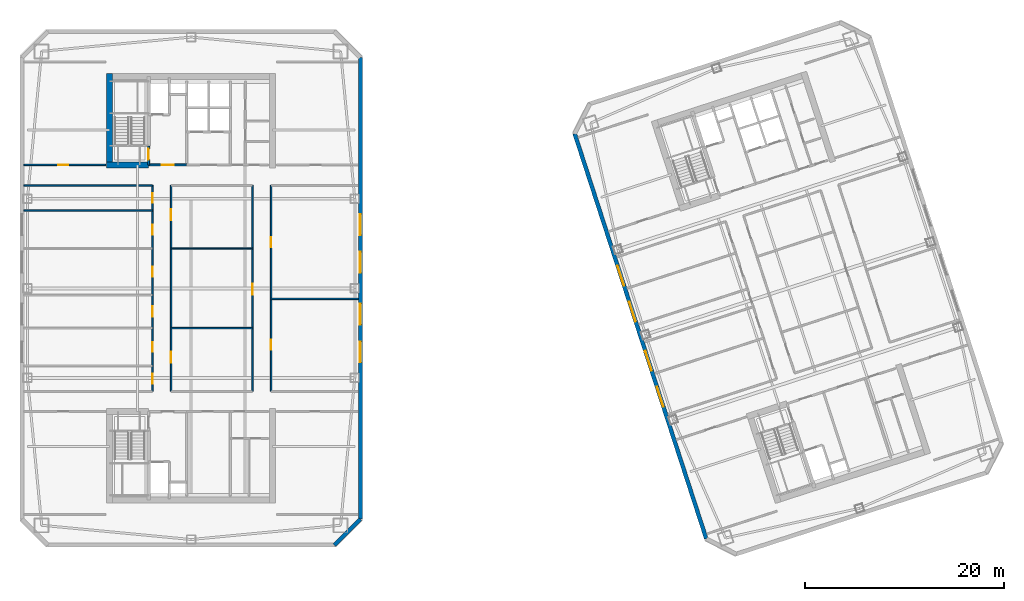
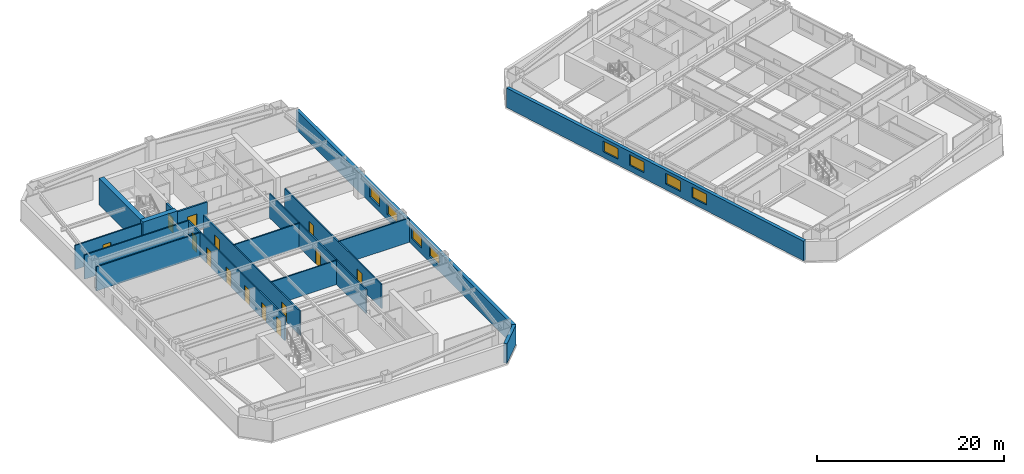
# One storey, part 6 of 13: 17 walls, 14 doors, 8 windows, 22 openings.
"""IFC4 building model written with IfcOpenShell, lengths in metres."""

import ifcopenshell
import ifcopenshell.guid

model = None  # the IFC model being written
_history = None  # IfcOwnerHistory: only IFC2X3 demands one
_inside = {}  # id of a spatial element -> (the spatial element, [elements in it])
_under = {}  # id of a project, library or spatial element -> (it, [spatial elements below it])
_declared = {}  # id of a project -> (the project, [libraries it declares])
_typed = {}  # id of a type object -> (the type object, [elements of that type])
_made_of = {}  # id of a material, layer set ... -> (it, [elements and type objects made of it])


def new_model(schema):
    """Start an empty IFC model of exactly this schema.

    Asked for "IFC4X3", IfcOpenShell would pick the latest addendum, in which some entities
    have other attributes; the version numbers below select the first issue.
    IFC2X3 requires an IfcOwnerHistory on every rooted entity: one is made here for all.
    """
    global model, _history
    if schema == "IFC4X3":
        model = ifcopenshell.file(schema_version=(4, 3, 0, 0))
    else:
        model = ifcopenshell.file(schema=schema)
    _inside.clear()
    _under.clear()
    _declared.clear()
    _typed.clear()
    _made_of.clear()
    _history = None
    if model.schema == "IFC2X3":
        org = make("IfcOrganization", Name="unknown")
        user = make(
            "IfcPersonAndOrganization",
            ThePerson=make("IfcPerson", FamilyName="unknown"),
            TheOrganization=org,
        )
        app = make(
            "IfcApplication",
            ApplicationDeveloper=org,
            Version="unknown",
            ApplicationFullName="unknown",
            ApplicationIdentifier="unknown",
        )
        _history = make(
            "IfcOwnerHistory",
            OwningUser=user,
            OwningApplication=app,
            ChangeAction="ADDED",
            CreationDate=0,
        )
    return model


def make(cls, **values):
    """One entity of the class cls with the attributes given. An attribute that is None is left unset."""
    return model.create_entity(
        cls, **{name: value for name, value in values.items() if value is not None}
    )


def rooted(cls, **values):
    """An entity with a GlobalId (a new one), such as an element, a storey or a relation."""
    return make(cls, GlobalId=ifcopenshell.guid.new(), OwnerHistory=_history, **values)


def si_unit(unit_type, name, prefix=None):
    """IfcSIUnit, for example si_unit("LENGTHUNIT", "METRE", prefix="MILLI")."""
    return make("IfcSIUnit", UnitType=unit_type, Prefix=prefix, Name=name)


def assignment(units):
    """IfcUnitAssignment: the units of a project."""
    return None if units is None else make("IfcUnitAssignment", Units=units)


def point(xyz):
    """IfcCartesianPoint."""
    return None if xyz is None else make("IfcCartesianPoint", Coordinates=xyz)


def direction(xyz):
    """IfcDirection."""
    return None if xyz is None else make("IfcDirection", DirectionRatios=xyz)


def frame(location, z_axis=None, x_axis=None):
    """IfcAxis2Placement3D, a coordinate frame: its origin and axes. An axis left out is left unset."""
    return make(
        "IfcAxis2Placement3D",
        Location=point(location),
        Axis=direction(z_axis),
        RefDirection=direction(x_axis),
    )


def frame_2d(location, x_axis=None):
    """IfcAxis2Placement2D, a coordinate frame in the plane: its origin and x axis."""
    return make(
        "IfcAxis2Placement2D", Location=point(location), RefDirection=direction(x_axis)
    )


def origin():
    """The frame at (0, 0, 0) with its axes left unset."""
    return frame((0.0, 0.0, 0.0))


def place(relative_to, where):
    """IfcLocalPlacement: puts the frame where relative to a parent placement (None: the world)."""
    return make(
        "IfcLocalPlacement", PlacementRelTo=relative_to, RelativePlacement=where
    )


def context(
    kind, dimensions, precision=None, world=None, true_north=None, identifier=None
):
    """IfcGeometricRepresentationContext, for example the 3D "Model" context."""
    return make(
        "IfcGeometricRepresentationContext",
        ContextIdentifier=identifier,
        ContextType=kind,
        CoordinateSpaceDimension=dimensions,
        Precision=precision,
        WorldCoordinateSystem=world,
        TrueNorth=true_north,
    )


def subcontext(parent, identifier, kind, view, scale=None):
    """IfcGeometricRepresentationSubContext, for example "Body" below "Model"."""
    return make(
        "IfcGeometricRepresentationSubContext",
        ContextIdentifier=identifier,
        ContextType=kind,
        ParentContext=parent,
        TargetScale=scale,
        TargetView=view,
    )


def project(units=None, contexts=None):
    """IfcProject with its units and contexts."""
    return rooted(
        "IfcProject",
        Name="project",
        RepresentationContexts=contexts,
        UnitsInContext=assignment(units),
    )


def spatial(cls, under=None, at=None, **own):
    """A site, building, storey or space (cls), placed at a placement, below another one or the project."""
    s = rooted(cls, ObjectPlacement=at, **own)
    if under is not None:
        _under.setdefault(under.id(), (under, []))[1].append(s)
    return s


def profile(cls, at=None, kind="AREA", **sizes):
    """A parametric profile (cls). Its sizes go by their IFC names, for example OverallWidth=200.0."""
    return make(cls, ProfileType=kind, Position=at, **sizes)


def rectangle(**sizes):
    """IfcRectangleProfileDef."""
    return profile("IfcRectangleProfileDef", **sizes)


def extrude(swept, where, along, depth):
    """IfcExtrudedAreaSolid: the profile swept, set in the frame where, extruded along a direction by depth."""
    return make(
        "IfcExtrudedAreaSolid",
        SweptArea=swept,
        Position=where,
        ExtrudedDirection=direction(along),
        Depth=depth,
    )


def shape(context_of_items, identifier, shape_type, items):
    """IfcShapeRepresentation: the items that make up one representation, for example the "Body"."""
    return make(
        "IfcShapeRepresentation",
        ContextOfItems=context_of_items,
        RepresentationIdentifier=identifier,
        RepresentationType=shape_type,
        Items=items,
    )


def material(Name=None, Category=None):
    """IfcMaterial."""
    return make("IfcMaterial", Name=Name, Category=Category)


def layer(
    of_material, thickness, ventilated=None, Name=None, Category=None, Priority=None
):
    """IfcMaterialLayer: one layer of a wall or slab, of a material (None: an air gap)."""
    return make(
        "IfcMaterialLayer",
        Material=of_material,
        LayerThickness=thickness,
        IsVentilated=ventilated,
        Name=Name,
        Category=Category,
        Priority=Priority,
    )


def layer_set(layers, Name=None):
    """IfcMaterialLayerSet."""
    return make("IfcMaterialLayerSet", MaterialLayers=layers, LayerSetName=Name)


def made_of(thing, what):
    """Note that an element or type object is made of a material, layer set ...; save() writes the relation."""
    if what is not None:
        _made_of.setdefault(what.id(), (what, []))[1].append(thing)
    return thing


def type_object(cls, material=None, **own):
    """A type object (cls), such as IfcWallType, which elements share."""
    return made_of(rooted(cls, **own), material)


def element(
    cls,
    number,
    at=None,
    inside=None,
    cuts=None,
    type_object=None,
    material=None,
    context=None,
    identifier="Body",
    shape_type=None,
    held_by="IfcProductDefinitionShape",
    body=None,
    shapes=None,
    **own,
):
    """One element of the class cls, such as IfcWall. Its Tag is "e" and its number.

    at: its placement. inside: the storey or other place that contains it. cuts: it is an
    opening in that element (IfcRelVoidsElement). A single representation is given by context,
    identifier, shape_type and body (its items); several are given by shapes. held_by: the class
    of the entity that holds the representations. save() writes the other relations.
    """
    e = rooted(cls, Tag="e%d" % number, ObjectPlacement=at, **own)
    if body is not None:
        shapes = [shape(context, identifier, shape_type, body)]
    if shapes is not None:
        e.Representation = make(held_by, Representations=shapes)
    if inside is not None:
        _inside.setdefault(inside.id(), (inside, []))[1].append(e)
    if cuts is not None:
        rooted(
            "IfcRelVoidsElement", RelatingBuildingElement=cuts, RelatedOpeningElement=e
        )
    if type_object is not None:
        _typed.setdefault(type_object.id(), (type_object, []))[1].append(e)
    return made_of(e, material)


def fill(opening, filler):
    """IfcRelFillsElement: the door or window that sits in an opening."""
    return rooted(
        "IfcRelFillsElement",
        RelatingOpeningElement=opening,
        RelatedBuildingElement=filler,
    )


def aggregate(whole, parts):
    """IfcRelAggregates: a whole, such as a stair, and the parts it consists of."""
    return rooted("IfcRelAggregates", RelatingObject=whole, RelatedObjects=parts)


def save(model, path):
    """Write the relations noted so far, then the file.

    IfcRelAggregates (storeys below a building ...), IfcRelContainedInSpatialStructure (elements
    in a storey), IfcRelDefinesByType, IfcRelAssociatesMaterial and IfcRelDeclares: one each for
    every whole, place, type object, material and project.
    """
    for whole, parts in _under.values():
        aggregate(whole, parts)
    for where, things in _inside.values():
        rooted(
            "IfcRelContainedInSpatialStructure",
            RelatedElements=things,
            RelatingStructure=where,
        )
    for kind, things in _typed.values():
        rooted("IfcRelDefinesByType", RelatedObjects=things, RelatingType=kind)
    for what, things in _made_of.values():
        rooted("IfcRelAssociatesMaterial", RelatedObjects=things, RelatingMaterial=what)
    for by, libraries in _declared.values():
        rooted("IfcRelDeclares", RelatingContext=by, RelatedDefinitions=libraries)
    model.write(path)


model = new_model("IFC4")

# Units and contexts
model_context = context("Model", 3, precision=1e-05, world=origin(), true_north=direction((0.0, 1.0)))
body_context = subcontext(model_context, "Body", "Model", "MODEL_VIEW")
ifc_project = project(units=[si_unit("LENGTHUNIT", "METRE"), si_unit("AREAUNIT", "SQUARE_METRE"), si_unit("VOLUMEUNIT", "CUBIC_METRE"), si_unit("PLANEANGLEUNIT", "RADIAN"), si_unit("MASSUNIT", "GRAM", prefix="KILO")], contexts=[model_context])

# Site, building, storey
site_placement = place(None, origin())
site = spatial("IfcSite", under=ifc_project, at=site_placement, CompositionType="ELEMENT")
building_placement = place(site_placement, origin())
building = spatial("IfcBuilding", under=site, at=building_placement, Name="Qiaolan Cultural Towers", CompositionType="ELEMENT")
storey_placement = place(building_placement, frame((0.0, 0.0, 180.550048828125)))
storey = spatial("IfcBuildingStorey", under=building, at=storey_placement, Name="L48", CompositionType="ELEMENT", Elevation=180.550048828125)

# Walls
ifc_material_1 = material(Name="Concrete C55", Category="concrete")
ifc_layer_1 = layer(ifc_material_1, 0.60009765625)
ifc_layer_set_1 = layer_set([ifc_layer_1], Name="Concrete C55")
wall_type_1 = type_object("IfcWallType", Name="WL-CORE-600", PredefinedType="SHEAR", material=ifc_layer_set_1)
wall_1_placement = place(storey_placement, frame((21.800048828125, 46.10009765625, 0.0), z_axis=(0.0, 0.0, 1.0), x_axis=(0.0, 1.0, 0.0)))
element("IfcWall", 1, at=wall_1_placement, inside=storey, type_object=wall_type_1, Name="L48 T1-CN West Core Shear Wall", PredefinedType="SHEAR", context=body_context, shape_type="SweptSolid", body=[
    extrude(rectangle(XDim=9.47998046875, YDim=0.60009765625, at=frame_2d((4.739990234375, 0.0))), origin(), (0.0, 0.0, 1.0), 3.449951171875),
])
wall_2_placement = place(storey_placement, frame((21.5, 46.39990234375, 0.0), z_axis=(0.0, 0.0, 1.0), x_axis=(1.0, 0.0, 0.0)))
element("IfcWall", 2, at=wall_2_placement, inside=storey, type_object=wall_type_1, Name="L48 T1-CN Stair Front Shear Wall", PredefinedType="SHEAR", context=body_context, shape_type="SweptSolid", body=[
    extrude(rectangle(XDim=4.219970703125, YDim=0.60009765625, at=frame_2d((2.10986328125, 0.0))), origin(), (0.0, 0.0, 1.0), 3.449951171875),
])

# Wall, openings, windows
ifc_material_2 = material(Name="Precast Concrete C50 Honed Stone Pier", Category="masonry")
ifc_layer_2 = layer(ifc_material_2, 0.39990234375)
ifc_layer_set_2 = layer_set([ifc_layer_2], Name="Precast Concrete C50 Honed Stone Pier")
wall_type_2 = type_object("IfcWallType", Name="WL-EXT-PIER-400", PredefinedType="SOLIDWALL", material=ifc_layer_set_2)
wall_3_placement = place(storey_placement, frame((47.0, 57.199951171875, 0.0), z_axis=(0.0, 0.0, 1.0), x_axis=(0.0, -1.0, 0.0)))
wall_3 = element("IfcWall", 3, at=wall_3_placement, inside=storey, type_object=wall_type_2, Name="L48 West Tower Precast Pier Facade Wall F5", PredefinedType="SOLIDWALL", context=body_context, shape_type="SweptSolid", body=[
    extrude(rectangle(XDim=46.39990234375, YDim=0.39990234375, at=frame_2d((23.199951171875, 0.0))), origin(), (0.0, 0.0, 1.0), 2.550048828125),
])
opening_1_placement = place(wall_3_placement, frame((28.550048828125, 0.0, 0.75)))
opening_1 = element("IfcOpeningElement", 4, at=opening_1_placement, cuts=wall_3, Name="Opening W-05", PredefinedType="OPENING", context=body_context, shape_type="SweptSolid", body=[
    extrude(rectangle(XDim=2.10009765625, YDim=1.39990234375, at=frame_2d((1.050048828125, 0.699951171875))), frame((0.0, 0.2099609375, 0.0), z_axis=(0.0, -1.0, 0.0), x_axis=(1.0, 0.0, 0.0)), (0.0, 0.0, 1.0), 0.419921875),
])
opening_2_placement = place(wall_3_placement, frame((24.75, 0.0, 0.75)))
opening_2 = element("IfcOpeningElement", 5, at=opening_2_placement, cuts=wall_3, Name="Opening W-05", PredefinedType="OPENING", context=body_context, shape_type="SweptSolid", body=[
    extrude(rectangle(XDim=2.10009765625, YDim=1.39990234375, at=frame_2d((1.050048828125, 0.699951171875))), frame((0.0, 0.2099609375, 0.0), z_axis=(0.0, -1.0, 0.0), x_axis=(1.0, 0.0, 0.0)), (0.0, 0.0, 1.0), 0.419921875),
])
opening_3_placement = place(wall_3_placement, frame((19.550048828125, 0.0, 0.75)))
opening_3 = element("IfcOpeningElement", 6, at=opening_3_placement, cuts=wall_3, Name="Opening W-05", PredefinedType="OPENING", context=body_context, shape_type="SweptSolid", body=[
    extrude(rectangle(XDim=2.10009765625, YDim=1.39990234375, at=frame_2d((1.050048828125, 0.699951171875))), frame((0.0, 0.2099609375, 0.0), z_axis=(0.0, -1.0, 0.0), x_axis=(1.0, 0.0, 0.0)), (0.0, 0.0, 1.0), 0.419921875),
])
opening_4_placement = place(wall_3_placement, frame((15.75, 0.0, 0.75)))
opening_4 = element("IfcOpeningElement", 7, at=opening_4_placement, cuts=wall_3, Name="Opening W-05", PredefinedType="OPENING", context=body_context, shape_type="SweptSolid", body=[
    extrude(rectangle(XDim=2.10009765625, YDim=1.39990234375, at=frame_2d((1.050048828125, 0.699951171875))), frame((0.0, 0.2099609375, 0.0), z_axis=(0.0, -1.0, 0.0), x_axis=(1.0, 0.0, 0.0)), (0.0, 0.0, 1.0), 0.419921875),
])
ifc_material_3 = material(Name="Thermally Broken Aluminium Triple Low-E Glazing", Category="aluminium")
window_type = type_object("IfcWindowType", Name="WN-CHIC-2100", PartitioningType="SINGLE_PANEL", PredefinedType="WINDOW", material=ifc_material_3)
window_1_placement = place(opening_1_placement, origin())
window_1 = element("IfcWindow", 8, at=window_1_placement, inside=storey, type_object=window_type, Name="L48 T1 E Chicago Bay Window 1", OverallHeight=1.39990234375, OverallWidth=2.10009765625, PartitioningType="TRIPLE_PANEL_VERTICAL", PredefinedType="WINDOW", context=body_context, shape_type="SweptSolid", body=[
    extrude(rectangle(XDim=2.10009765625, YDim=1.39990234375, at=frame_2d((1.050048828125, 0.699951171875))), frame((0.0, 0.030029296875, 0.0), z_axis=(0.0, -1.0, 0.0), x_axis=(1.0, 0.0, 0.0)), (0.0, 0.0, 1.0), 0.06005859375),
])
fill(opening_1, window_1)
window_2_placement = place(opening_2_placement, origin())
window_2 = element("IfcWindow", 9, at=window_2_placement, inside=storey, type_object=window_type, Name="L48 T1 E Chicago Bay Window 2", OverallHeight=1.39990234375, OverallWidth=2.10009765625, PartitioningType="TRIPLE_PANEL_VERTICAL", PredefinedType="WINDOW", context=body_context, shape_type="SweptSolid", body=[
    extrude(rectangle(XDim=2.10009765625, YDim=1.39990234375, at=frame_2d((1.050048828125, 0.699951171875))), frame((0.0, 0.030029296875, 0.0), z_axis=(0.0, -1.0, 0.0), x_axis=(1.0, 0.0, 0.0)), (0.0, 0.0, 1.0), 0.06005859375),
])
fill(opening_2, window_2)
window_3_placement = place(opening_3_placement, origin())
window_3 = element("IfcWindow", 10, at=window_3_placement, inside=storey, type_object=window_type, Name="L48 T1 E Chicago Bay Window 3", OverallHeight=1.39990234375, OverallWidth=2.10009765625, PartitioningType="TRIPLE_PANEL_VERTICAL", PredefinedType="WINDOW", context=body_context, shape_type="SweptSolid", body=[
    extrude(rectangle(XDim=2.10009765625, YDim=1.39990234375, at=frame_2d((1.050048828125, 0.699951171875))), frame((0.0, 0.030029296875, 0.0), z_axis=(0.0, -1.0, 0.0), x_axis=(1.0, 0.0, 0.0)), (0.0, 0.0, 1.0), 0.06005859375),
])
fill(opening_3, window_3)
window_4_placement = place(opening_4_placement, origin())
window_4 = element("IfcWindow", 11, at=window_4_placement, inside=storey, type_object=window_type, Name="L48 T1 E Chicago Bay Window 4", OverallHeight=1.39990234375, OverallWidth=2.10009765625, PartitioningType="TRIPLE_PANEL_VERTICAL", PredefinedType="WINDOW", context=body_context, shape_type="SweptSolid", body=[
    extrude(rectangle(XDim=2.10009765625, YDim=1.39990234375, at=frame_2d((1.050048828125, 0.699951171875))), frame((0.0, 0.030029296875, 0.0), z_axis=(0.0, -1.0, 0.0), x_axis=(1.0, 0.0, 0.0)), (0.0, 0.0, 1.0), 0.06005859375),
])
fill(opening_4, window_4)

# Wall
wall_4_placement = place(storey_placement, frame((47.0, 10.800048828125, 0.0), z_axis=(0.0, 0.0, 1.0), x_axis=(-0.707106781187, -0.707106781187, 0.0)))
element("IfcWall", 12, at=wall_4_placement, inside=storey, type_object=wall_type_2, Name="L48 West Tower Precast Pier Facade Wall F6", PredefinedType="SOLIDWALL", context=body_context, shape_type="SweptSolid", body=[
    extrude(rectangle(XDim=3.677001953125, YDim=0.39990234375, at=frame_2d((1.83837890625, 0.0))), origin(), (0.0, 0.0, 1.0), 2.550048828125),
])

# Wall, openings, windows
wall_5_placement = place(storey_placement, frame((81.7763671875, 8.82666015625, 0.0), z_axis=(0.0, 0.0, 1.0), x_axis=(-0.309014228706, 0.951057414911, 0.0)))
wall_5 = element("IfcWall", 13, at=wall_5_placement, inside=storey, type_object=wall_type_2, Name="L48 East Tower Precast Pier Facade Wall F1", PredefinedType="SOLIDWALL", context=body_context, shape_type="SweptSolid", body=[
    extrude(rectangle(XDim=42.800048828125, YDim=0.39990234375, at=frame_2d((21.39990234375, 0.0))), origin(), (0.0, 0.0, 1.0), 2.550048828125),
])
opening_5_placement = place(wall_5_placement, frame((13.949951171875, 0.0, 0.75)))
opening_5 = element("IfcOpeningElement", 14, at=opening_5_placement, cuts=wall_5, Name="Opening W-05", PredefinedType="OPENING", context=body_context, shape_type="SweptSolid", body=[
    extrude(rectangle(XDim=2.10009765625, YDim=1.39990234375, at=frame_2d((1.050048828125, 0.699951171875))), frame((0.0, 0.2099609375, 0.0), z_axis=(0.0, -1.0, 0.0), x_axis=(1.0, 0.0, 0.0)), (0.0, 0.0, 1.0), 0.419921875),
])
opening_6_placement = place(wall_5_placement, frame((17.75, 0.0, 0.75)))
opening_6 = element("IfcOpeningElement", 15, at=opening_6_placement, cuts=wall_5, Name="Opening W-05", PredefinedType="OPENING", context=body_context, shape_type="SweptSolid", body=[
    extrude(rectangle(XDim=2.10009765625, YDim=1.39990234375, at=frame_2d((1.050048828125, 0.699951171875))), frame((0.0, 0.2099609375, 0.0), z_axis=(0.0, -1.0, 0.0), x_axis=(1.0, 0.0, 0.0)), (0.0, 0.0, 1.0), 0.419921875),
])
opening_7_placement = place(wall_5_placement, frame((22.949951171875, 0.0, 0.75)))
opening_7 = element("IfcOpeningElement", 16, at=opening_7_placement, cuts=wall_5, Name="Opening W-05", PredefinedType="OPENING", context=body_context, shape_type="SweptSolid", body=[
    extrude(rectangle(XDim=2.10009765625, YDim=1.39990234375, at=frame_2d((1.050048828125, 0.699951171875))), frame((0.0, 0.2099609375, 0.0), z_axis=(0.0, -1.0, 0.0), x_axis=(1.0, 0.0, 0.0)), (0.0, 0.0, 1.0), 0.419921875),
])
opening_8_placement = place(wall_5_placement, frame((26.75, 0.0, 0.75)))
opening_8 = element("IfcOpeningElement", 17, at=opening_8_placement, cuts=wall_5, Name="Opening W-05", PredefinedType="OPENING", context=body_context, shape_type="SweptSolid", body=[
    extrude(rectangle(XDim=2.10009765625, YDim=1.39990234375, at=frame_2d((1.050048828125, 0.699951171875))), frame((0.0, 0.2099609375, 0.0), z_axis=(0.0, -1.0, 0.0), x_axis=(1.0, 0.0, 0.0)), (0.0, 0.0, 1.0), 0.419921875),
])
window_5_placement = place(opening_5_placement, origin())
window_5 = element("IfcWindow", 18, at=window_5_placement, inside=storey, type_object=window_type, Name="L48 T2 W Chicago Bay Window 1", OverallHeight=1.39990234375, OverallWidth=2.10009765625, PartitioningType="TRIPLE_PANEL_VERTICAL", PredefinedType="WINDOW", context=body_context, shape_type="SweptSolid", body=[
    extrude(rectangle(XDim=2.10009765625, YDim=1.39990234375, at=frame_2d((1.050048828125, 0.699951171875))), frame((0.0, 0.030029296875, 0.0), z_axis=(0.0, -1.0, 0.0), x_axis=(1.0, 0.0, 0.0)), (0.0, 0.0, 1.0), 0.06005859375),
])
fill(opening_5, window_5)
window_6_placement = place(opening_6_placement, origin())
window_6 = element("IfcWindow", 19, at=window_6_placement, inside=storey, type_object=window_type, Name="L48 T2 W Chicago Bay Window 2", OverallHeight=1.39990234375, OverallWidth=2.10009765625, PartitioningType="TRIPLE_PANEL_VERTICAL", PredefinedType="WINDOW", context=body_context, shape_type="SweptSolid", body=[
    extrude(rectangle(XDim=2.10009765625, YDim=1.39990234375, at=frame_2d((1.050048828125, 0.699951171875))), frame((0.0, 0.030029296875, 0.0), z_axis=(0.0, -1.0, 0.0), x_axis=(1.0, 0.0, 0.0)), (0.0, 0.0, 1.0), 0.06005859375),
])
fill(opening_6, window_6)
window_7_placement = place(opening_7_placement, origin())
window_7 = element("IfcWindow", 20, at=window_7_placement, inside=storey, type_object=window_type, Name="L48 T2 W Chicago Bay Window 3", OverallHeight=1.39990234375, OverallWidth=2.10009765625, PartitioningType="TRIPLE_PANEL_VERTICAL", PredefinedType="WINDOW", context=body_context, shape_type="SweptSolid", body=[
    extrude(rectangle(XDim=2.10009765625, YDim=1.39990234375, at=frame_2d((1.050048828125, 0.699951171875))), frame((0.0, 0.030029296875, 0.0), z_axis=(0.0, -1.0, 0.0), x_axis=(1.0, 0.0, 0.0)), (0.0, 0.0, 1.0), 0.06005859375),
])
fill(opening_7, window_7)
window_8_placement = place(opening_8_placement, origin())
window_8 = element("IfcWindow", 21, at=window_8_placement, inside=storey, type_object=window_type, Name="L48 T2 W Chicago Bay Window 4", OverallHeight=1.39990234375, OverallWidth=2.10009765625, PartitioningType="TRIPLE_PANEL_VERTICAL", PredefinedType="WINDOW", context=body_context, shape_type="SweptSolid", body=[
    extrude(rectangle(XDim=2.10009765625, YDim=1.39990234375, at=frame_2d((1.050048828125, 0.699951171875))), frame((0.0, 0.030029296875, 0.0), z_axis=(0.0, -1.0, 0.0), x_axis=(1.0, 0.0, 0.0)), (0.0, 0.0, 1.0), 0.06005859375),
])
fill(opening_8, window_8)

# Wall, opening, door
ifc_material_4 = material(Name="Concrete C35 Fire Wall", Category="concrete")
ifc_layer_3 = layer(ifc_material_4, 0.199951171875)
ifc_layer_set_3 = layer_set([ifc_layer_3], Name="Concrete C35 Fire Wall")
wall_type_3 = type_object("IfcWallType", Name="WL-FIRE-200", PredefinedType="PARTITIONING", material=ifc_layer_set_3)
wall_6_placement = place(storey_placement, frame((25.719970703125, 46.39990234375, 0.0), z_axis=(0.0, 0.0, 1.0), x_axis=(0.0, 1.0, 0.0)))
wall_6 = element("IfcWall", 22, at=wall_6_placement, inside=storey, type_object=wall_type_3, Name="L48 T1-CN Smokeproof Stair Entry Wall", PredefinedType="PARTITIONING", context=body_context, shape_type="SweptSolid", body=[
    extrude(rectangle(XDim=1.900146484375, YDim=0.199951171875, at=frame_2d((0.9501953125, 0.0))), origin(), (0.0, 0.0, 1.0), 3.155029296875),
])
opening_9_placement = place(wall_6_placement, frame((0.52001953125, 0.0, 0.0)))
opening_9 = element("IfcOpeningElement", 23, at=opening_9_placement, cuts=wall_6, Name="Opening FD-04", PredefinedType="OPENING", context=body_context, shape_type="SweptSolid", body=[
    extrude(rectangle(XDim=1.10009765625, YDim=2.050048828125, at=frame_2d((0.550048828125, 1.02490234375))), frame((0.0, 0.10986328125, 0.0), z_axis=(0.0, -1.0, 0.0), x_axis=(1.0, 0.0, 0.0)), (0.0, 0.0, 1.0), 0.219970703125),
])
ifc_material_5 = material(Name="Galvanized Steel Command Fire Door", Category="steel")
door_type_1 = type_object("IfcDoorType", Name="DR-FD90-1100", OperationType="NOTDEFINED", PredefinedType="DOOR", material=ifc_material_5)
door_1_placement = place(opening_9_placement, origin())
door_1 = element("IfcDoor", 24, at=door_1_placement, inside=storey, type_object=door_type_1, Name="L48 ST-W2 Smokeproof Stair Fire Door", OperationType="SINGLE_SWING_LEFT", OverallHeight=2.050048828125, OverallWidth=1.10009765625, PredefinedType="DOOR", context=body_context, shape_type="SweptSolid", body=[
    extrude(rectangle(XDim=1.10009765625, YDim=2.050048828125, at=frame_2d((0.550048828125, 1.02490234375))), frame((0.0, 0.02490234375, 0.0), z_axis=(0.0, -1.0, 0.0), x_axis=(1.0, 0.0, 0.0)), (0.0, 0.0, 1.0), 0.050048828125),
])
fill(opening_9, door_1)

wall_7_placement = place(storey_placement, frame((25.719970703125, 46.39990234375, 0.0), z_axis=(0.0, 0.0, 1.0), x_axis=(1.0, 0.0, 0.0)))
wall_7 = element("IfcWall", 25, at=wall_7_placement, inside=storey, type_object=wall_type_3, Name="L48 T1-CN Firefighting Lobby Front Wall", PredefinedType="PARTITIONING", context=body_context, shape_type="SweptSolid", body=[
    extrude(rectangle(XDim=3.830078125, YDim=0.199951171875, at=frame_2d((1.9150390625, 0.0))), origin(), (0.0, 0.0, 1.0), 3.155029296875),
])
opening_10_placement = place(wall_7_placement, frame((1.35009765625, 0.0, 0.0)))
opening_10 = element("IfcOpeningElement", 26, at=opening_10_placement, cuts=wall_7, Name="Opening FD-03", PredefinedType="OPENING", context=body_context, shape_type="SweptSolid", body=[
    extrude(rectangle(XDim=1.199951171875, YDim=2.050048828125, at=frame_2d((0.60009765625, 1.02490234375))), frame((0.0, 0.10986328125, 0.0), z_axis=(0.0, -1.0, 0.0), x_axis=(1.0, 0.0, 0.0)), (0.0, 0.0, 1.0), 0.219970703125),
])
ifc_material_6 = material(Name="Galvanized Steel Smokeproof Lobby Fire Door", Category="steel")
door_type_2 = type_object("IfcDoorType", Name="DR-FD90-1200", OperationType="NOTDEFINED", PredefinedType="DOOR", material=ifc_material_6)
door_2_placement = place(opening_10_placement, origin())
door_2 = element("IfcDoor", 27, at=door_2_placement, inside=storey, type_object=door_type_2, Name="L48 FFL-W2 Firefighting Lobby Fire Door", OperationType="SINGLE_SWING_LEFT", OverallHeight=2.050048828125, OverallWidth=1.199951171875, PredefinedType="DOOR", context=body_context, shape_type="SweptSolid", body=[
    extrude(rectangle(XDim=1.199951171875, YDim=2.050048828125, at=frame_2d((0.60009765625, 1.02490234375))), frame((0.0, 0.02490234375, 0.0), z_axis=(0.0, -1.0, 0.0), x_axis=(1.0, 0.0, 0.0)), (0.0, 0.0, 1.0), 0.050048828125),
])
fill(opening_10, door_2)

ifc_material_7 = material(Name="Autoclaved Aerated Concrete Block B06", Category="concrete")
ifc_layer_4 = layer(ifc_material_7, 0.14990234375)
ifc_layer_set_4 = layer_set([ifc_layer_4], Name="Autoclaved Aerated Concrete Block B06")
wall_type_4 = type_object("IfcWallType", Name="WL-PART-150", PredefinedType="PARTITIONING", material=ifc_layer_set_4)
wall_8_placement = place(storey_placement, frame((13.199951171875, 46.39990234375, 0.0), z_axis=(0.0, 0.0, 1.0), x_axis=(1.0, 0.0, 0.0)))
wall_8 = element("IfcWall", 28, at=wall_8_placement, inside=storey, type_object=wall_type_4, Name="L48 T1 Flank Front FLK-NW", PredefinedType="PARTITIONING", context=body_context, shape_type="SweptSolid", body=[
    extrude(rectangle(XDim=8.199951171875, YDim=0.14990234375, at=frame_2d((4.10009765625, 0.0))), origin(), (0.0, 0.0, 1.0), 3.155029296875),
])
opening_11_placement = place(wall_8_placement, frame((3.444091796875, 0.0, 0.0)))
opening_11 = element("IfcOpeningElement", 29, at=opening_11_placement, cuts=wall_8, Name="Opening ID-04", PredefinedType="OPENING", context=body_context, shape_type="SweptSolid", body=[
    extrude(rectangle(XDim=1.0, YDim=2.050048828125, at=frame_2d((0.5, 1.02490234375))), frame((0.0, 0.0849609375, 0.0), z_axis=(0.0, -1.0, 0.0), x_axis=(1.0, 0.0, 0.0)), (0.0, 0.0, 1.0), 0.169921875),
])
ifc_material_8 = material(Name="Oak Veneer Acoustic Office Door", Category="timber")
door_type_3 = type_object("IfcDoorType", Name="DR-INT-1000", OperationType="NOTDEFINED", PredefinedType="DOOR", material=ifc_material_8)
door_3_placement = place(opening_11_placement, origin())
door_3 = element("IfcDoor", 30, at=door_3_placement, inside=storey, type_object=door_type_3, Name="L48 T1 Corner Studio Door", OperationType="SINGLE_SWING_LEFT", OverallHeight=2.050048828125, OverallWidth=1.0, PredefinedType="DOOR", context=body_context, shape_type="SweptSolid", body=[
    extrude(rectangle(XDim=1.0, YDim=2.050048828125, at=frame_2d((0.5, 1.02490234375))), frame((0.0, 0.02490234375, 0.0), z_axis=(0.0, -1.0, 0.0), x_axis=(1.0, 0.0, 0.0)), (0.0, 0.0, 1.0), 0.050048828125),
])
fill(opening_11, door_3)

# Wall
wall_9_placement = place(storey_placement, frame((13.199951171875, 44.35009765625, 0.0), z_axis=(0.0, 0.0, 1.0), x_axis=(1.0, 0.0, 0.0)))
element("IfcWall", 31, at=wall_9_placement, inside=storey, type_object=wall_type_4, Name="L48 T1 Interior Wall", PredefinedType="PARTITIONING", context=body_context, shape_type="SweptSolid", body=[
    extrude(rectangle(XDim=12.900146484375, YDim=0.14990234375, at=frame_2d((6.4501953125, 0.0))), origin(), (0.0, 0.0, 1.0), 3.155029296875),
])

# Wall, openings, doors
wall_10_placement = place(storey_placement, frame((26.10009765625, 23.64990234375, 0.0), z_axis=(0.0, 0.0, 1.0), x_axis=(0.0, 1.0, 0.0)))
wall_10 = element("IfcWall", 32, at=wall_10_placement, inside=storey, type_object=wall_type_4, Name="L48 T1 Interior Wall", PredefinedType="PARTITIONING", context=body_context, shape_type="SweptSolid", body=[
    extrude(rectangle(XDim=20.7001953125, YDim=0.14990234375, at=frame_2d((10.35009765625, 0.0))), origin(), (0.0, 0.0, 1.0), 3.155029296875),
])
opening_12_placement = place(wall_10_placement, frame((0.77490234375, 0.0, 0.0)))
opening_12 = element("IfcOpeningElement", 33, at=opening_12_placement, cuts=wall_10, Name="Opening ID-04", PredefinedType="OPENING", context=body_context, shape_type="SweptSolid", body=[
    extrude(rectangle(XDim=1.0, YDim=2.050048828125, at=frame_2d((0.5, 1.02490234375))), frame((0.0, 0.0849609375, 0.0), z_axis=(0.0, -1.0, 0.0), x_axis=(1.0, 0.0, 0.0)), (0.0, 0.0, 1.0), 0.169921875),
])
opening_13_placement = place(wall_10_placement, frame((3.949951171875, 0.0, 0.0)))
opening_13 = element("IfcOpeningElement", 34, at=opening_13_placement, cuts=wall_10, Name="Opening ID-04", PredefinedType="OPENING", context=body_context, shape_type="SweptSolid", body=[
    extrude(rectangle(XDim=1.0, YDim=2.050048828125, at=frame_2d((0.5, 1.02490234375))), frame((0.0, 0.0849609375, 0.0), z_axis=(0.0, -1.0, 0.0), x_axis=(1.0, 0.0, 0.0)), (0.0, 0.0, 1.0), 0.169921875),
])
opening_14_placement = place(wall_10_placement, frame((7.510009765625, 0.0, 0.0)))
opening_14 = element("IfcOpeningElement", 35, at=opening_14_placement, cuts=wall_10, Name="Opening ID-07", PredefinedType="OPENING", context=body_context, shape_type="SweptSolid", body=[
    extrude(rectangle(XDim=1.050048828125, YDim=2.050048828125, at=frame_2d((0.52490234375, 1.02490234375))), frame((0.0, 0.0849609375, 0.0), z_axis=(0.0, -1.0, 0.0), x_axis=(1.0, 0.0, 0.0)), (0.0, 0.0, 1.0), 0.169921875),
])
opening_15_placement = place(wall_10_placement, frame((11.510009765625, 0.0, 0.0)))
opening_15 = element("IfcOpeningElement", 36, at=opening_15_placement, cuts=wall_10, Name="Opening ID-04", PredefinedType="OPENING", context=body_context, shape_type="SweptSolid", body=[
    extrude(rectangle(XDim=1.0, YDim=2.050048828125, at=frame_2d((0.5, 1.02490234375))), frame((0.0, 0.0849609375, 0.0), z_axis=(0.0, -1.0, 0.0), x_axis=(1.0, 0.0, 0.0)), (0.0, 0.0, 1.0), 0.169921875),
])
opening_16_placement = place(wall_10_placement, frame((15.75, 0.0, 0.0)))
opening_16 = element("IfcOpeningElement", 37, at=opening_16_placement, cuts=wall_10, Name="Opening ID-04", PredefinedType="OPENING", context=body_context, shape_type="SweptSolid", body=[
    extrude(rectangle(XDim=1.0, YDim=2.050048828125, at=frame_2d((0.5, 1.02490234375))), frame((0.0, 0.0849609375, 0.0), z_axis=(0.0, -1.0, 0.0), x_axis=(1.0, 0.0, 0.0)), (0.0, 0.0, 1.0), 0.169921875),
])
opening_17_placement = place(wall_10_placement, frame((18.925048828125, 0.0, 0.0)))
opening_17 = element("IfcOpeningElement", 38, at=opening_17_placement, cuts=wall_10, Name="Opening ID-04", PredefinedType="OPENING", context=body_context, shape_type="SweptSolid", body=[
    extrude(rectangle(XDim=1.0, YDim=2.050048828125, at=frame_2d((0.5, 1.02490234375))), frame((0.0, 0.0849609375, 0.0), z_axis=(0.0, -1.0, 0.0), x_axis=(1.0, 0.0, 0.0)), (0.0, 0.0, 1.0), 0.169921875),
])
door_4_placement = place(opening_12_placement, origin())
door_4 = element("IfcDoor", 39, at=door_4_placement, inside=storey, type_object=door_type_3, Name="L48 T1 Digital Media Gallery Door", OperationType="SINGLE_SWING_LEFT", OverallHeight=2.050048828125, OverallWidth=1.0, PredefinedType="DOOR", context=body_context, shape_type="SweptSolid", body=[
    extrude(rectangle(XDim=1.0, YDim=2.050048828125, at=frame_2d((0.5, 1.02490234375))), frame((0.0, 0.02490234375, 0.0), z_axis=(0.0, -1.0, 0.0), x_axis=(1.0, 0.0, 0.0)), (0.0, 0.0, 1.0), 0.050048828125),
])
fill(opening_12, door_4)
door_5_placement = place(opening_13_placement, origin())
door_5 = element("IfcDoor", 40, at=door_5_placement, inside=storey, type_object=door_type_3, Name="L48 T1 Digital Media Gallery Door", OperationType="SINGLE_SWING_RIGHT", OverallHeight=2.050048828125, OverallWidth=1.0, PredefinedType="DOOR", context=body_context, shape_type="SweptSolid", body=[
    extrude(rectangle(XDim=1.0, YDim=2.050048828125, at=frame_2d((0.5, 1.02490234375))), frame((0.0, 0.02490234375, 0.0), z_axis=(0.0, -1.0, 0.0), x_axis=(1.0, 0.0, 0.0)), (0.0, 0.0, 1.0), 0.050048828125),
])
fill(opening_13, door_5)
door_6_placement = place(opening_15_placement, origin())
door_6 = element("IfcDoor", 41, at=door_6_placement, inside=storey, type_object=door_type_3, Name="L48 T1 Sound Kitchenette Door", OperationType="SINGLE_SWING_RIGHT", OverallHeight=2.050048828125, OverallWidth=1.0, PredefinedType="DOOR", context=body_context, shape_type="SweptSolid", body=[
    extrude(rectangle(XDim=1.0, YDim=2.050048828125, at=frame_2d((0.5, 1.02490234375))), frame((0.0, 0.02490234375, 0.0), z_axis=(0.0, -1.0, 0.0), x_axis=(1.0, 0.0, 0.0)), (0.0, 0.0, 1.0), 0.050048828125),
])
fill(opening_15, door_6)
door_7_placement = place(opening_16_placement, origin())
door_7 = element("IfcDoor", 42, at=door_7_placement, inside=storey, type_object=door_type_3, Name="L48 T1 Media Lounge Door", OperationType="SINGLE_SWING_LEFT", OverallHeight=2.050048828125, OverallWidth=1.0, PredefinedType="DOOR", context=body_context, shape_type="SweptSolid", body=[
    extrude(rectangle(XDim=1.0, YDim=2.050048828125, at=frame_2d((0.5, 1.02490234375))), frame((0.0, 0.02490234375, 0.0), z_axis=(0.0, -1.0, 0.0), x_axis=(1.0, 0.0, 0.0)), (0.0, 0.0, 1.0), 0.050048828125),
])
fill(opening_16, door_7)
door_8_placement = place(opening_17_placement, origin())
door_8 = element("IfcDoor", 43, at=door_8_placement, inside=storey, type_object=door_type_3, Name="L48 T1 Media Bookshop Door", OperationType="SINGLE_SWING_RIGHT", OverallHeight=2.050048828125, OverallWidth=1.0, PredefinedType="DOOR", context=body_context, shape_type="SweptSolid", body=[
    extrude(rectangle(XDim=1.0, YDim=2.050048828125, at=frame_2d((0.5, 1.02490234375))), frame((0.0, 0.02490234375, 0.0), z_axis=(0.0, -1.0, 0.0), x_axis=(1.0, 0.0, 0.0)), (0.0, 0.0, 1.0), 0.050048828125),
])
fill(opening_17, door_8)
ifc_material_9 = material(Name="Oak Veneer Consultation Door", Category="timber")
door_type_4 = type_object("IfcDoorType", Name="DR-INT-1050", OperationType="NOTDEFINED", PredefinedType="DOOR", material=ifc_material_9)
door_9_placement = place(opening_14_placement, origin())
door_9 = element("IfcDoor", 44, at=door_9_placement, inside=storey, type_object=door_type_4, Name="L48 T1 Sound Kitchenette Door", OperationType="SINGLE_SWING_LEFT", OverallHeight=2.050048828125, OverallWidth=1.050048828125, PredefinedType="DOOR", context=body_context, shape_type="SweptSolid", body=[
    extrude(rectangle(XDim=1.050048828125, YDim=2.050048828125, at=frame_2d((0.52490234375, 1.02490234375))), frame((0.0, 0.02490234375, 0.0), z_axis=(0.0, -1.0, 0.0), x_axis=(1.0, 0.0, 0.0)), (0.0, 0.0, 1.0), 0.050048828125),
])
fill(opening_14, door_9)

wall_11_placement = place(storey_placement, frame((28.0, 23.64990234375, 0.0), z_axis=(0.0, 0.0, 1.0), x_axis=(0.0, 1.0, 0.0)))
wall_11 = element("IfcWall", 45, at=wall_11_placement, inside=storey, type_object=wall_type_4, Name="L48 T1 Interior Wall", PredefinedType="PARTITIONING", context=body_context, shape_type="SweptSolid", body=[
    extrude(rectangle(XDim=20.7001953125, YDim=0.14990234375, at=frame_2d((10.35009765625, 0.0))), origin(), (0.0, 0.0, 1.0), 3.155029296875),
])
opening_18_placement = place(wall_11_placement, frame((2.857421875, 0.0, 0.0)))
opening_18 = element("IfcOpeningElement", 46, at=opening_18_placement, cuts=wall_11, Name="Opening ID-03", PredefinedType="OPENING", context=body_context, shape_type="SweptSolid", body=[
    extrude(rectangle(XDim=1.10009765625, YDim=2.050048828125, at=frame_2d((0.550048828125, 1.02490234375))), frame((0.0, 0.0849609375, 0.0), z_axis=(0.0, -1.0, 0.0), x_axis=(1.0, 0.0, 0.0)), (0.0, 0.0, 1.0), 0.169921875),
])
opening_19_placement = place(wall_11_placement, frame((17.20751953125, 0.0, 0.0)))
opening_19 = element("IfcOpeningElement", 47, at=opening_19_placement, cuts=wall_11, Name="Opening ID-03", PredefinedType="OPENING", context=body_context, shape_type="SweptSolid", body=[
    extrude(rectangle(XDim=1.10009765625, YDim=2.050048828125, at=frame_2d((0.550048828125, 1.02490234375))), frame((0.0, 0.0849609375, 0.0), z_axis=(0.0, -1.0, 0.0), x_axis=(1.0, 0.0, 0.0)), (0.0, 0.0, 1.0), 0.169921875),
])
ifc_material_10 = material(Name="Oak Veneer Solid-Core Boardroom Door", Category="timber")
door_type_5 = type_object("IfcDoorType", Name="DR-INT-1100", OperationType="NOTDEFINED", PredefinedType="DOOR", material=ifc_material_10)
door_10_placement = place(opening_18_placement, origin())
door_10 = element("IfcDoor", 48, at=door_10_placement, inside=storey, type_object=door_type_5, Name="L48 T1 Central Boardroom Door", OperationType="SINGLE_SWING_LEFT", OverallHeight=2.050048828125, OverallWidth=1.10009765625, PredefinedType="DOOR", context=body_context, shape_type="SweptSolid", body=[
    extrude(rectangle(XDim=1.10009765625, YDim=2.050048828125, at=frame_2d((0.550048828125, 1.02490234375))), frame((0.0, 0.02490234375, 0.0), z_axis=(0.0, -1.0, 0.0), x_axis=(1.0, 0.0, 0.0)), (0.0, 0.0, 1.0), 0.050048828125),
])
fill(opening_18, door_10)
door_11_placement = place(opening_19_placement, origin())
door_11 = element("IfcDoor", 49, at=door_11_placement, inside=storey, type_object=door_type_5, Name="L48 T1 Central Archive Room Door", OperationType="SINGLE_SWING_RIGHT", OverallHeight=2.050048828125, OverallWidth=1.10009765625, PredefinedType="DOOR", context=body_context, shape_type="SweptSolid", body=[
    extrude(rectangle(XDim=1.10009765625, YDim=2.050048828125, at=frame_2d((0.550048828125, 1.02490234375))), frame((0.0, 0.02490234375, 0.0), z_axis=(0.0, -1.0, 0.0), x_axis=(1.0, 0.0, 0.0)), (0.0, 0.0, 1.0), 0.050048828125),
])
fill(opening_19, door_11)

# Wall, opening, door
wall_12_placement = place(storey_placement, frame((36.14990234375, 23.64990234375, 0.0), z_axis=(0.0, 0.0, 1.0), x_axis=(0.0, 1.0, 0.0)))
wall_12 = element("IfcWall", 50, at=wall_12_placement, inside=storey, type_object=wall_type_4, Name="L48 T1 Interior Wall", PredefinedType="PARTITIONING", context=body_context, shape_type="SweptSolid", body=[
    extrude(rectangle(XDim=20.7001953125, YDim=0.14990234375, at=frame_2d((10.35009765625, 0.0))), origin(), (0.0, 0.0, 1.0), 3.155029296875),
])
opening_20_placement = place(wall_12_placement, frame((9.7099609375, 0.0, 0.0)))
opening_20 = element("IfcOpeningElement", 51, at=opening_20_placement, cuts=wall_12, Name="Opening ID-03", PredefinedType="OPENING", context=body_context, shape_type="SweptSolid", body=[
    extrude(rectangle(XDim=1.10009765625, YDim=2.050048828125, at=frame_2d((0.550048828125, 1.02490234375))), frame((0.0, 0.0849609375, 0.0), z_axis=(0.0, -1.0, 0.0), x_axis=(1.0, 0.0, 0.0)), (0.0, 0.0, 1.0), 0.169921875),
])
door_12_placement = place(opening_20_placement, origin())
door_12 = element("IfcDoor", 52, at=door_12_placement, inside=storey, type_object=door_type_5, Name="L48 T1 Central Study Salon Door", OperationType="SINGLE_SWING_LEFT", OverallHeight=2.050048828125, OverallWidth=1.10009765625, PredefinedType="DOOR", context=body_context, shape_type="SweptSolid", body=[
    extrude(rectangle(XDim=1.10009765625, YDim=2.050048828125, at=frame_2d((0.550048828125, 1.02490234375))), frame((0.0, 0.02490234375, 0.0), z_axis=(0.0, -1.0, 0.0), x_axis=(1.0, 0.0, 0.0)), (0.0, 0.0, 1.0), 0.050048828125),
])
fill(opening_20, door_12)

# Wall, openings, doors
wall_13_placement = place(storey_placement, frame((38.050048828125, 23.64990234375, 0.0), z_axis=(0.0, 0.0, 1.0), x_axis=(0.0, 1.0, 0.0)))
wall_13 = element("IfcWall", 53, at=wall_13_placement, inside=storey, type_object=wall_type_4, Name="L48 T1 Interior Wall", PredefinedType="PARTITIONING", context=body_context, shape_type="SweptSolid", body=[
    extrude(rectangle(XDim=20.7001953125, YDim=0.14990234375, at=frame_2d((10.35009765625, 0.0))), origin(), (0.0, 0.0, 1.0), 3.155029296875),
])
opening_21_placement = place(wall_13_placement, frame((4.1484375, 0.0, 0.0)))
opening_21 = element("IfcOpeningElement", 54, at=opening_21_placement, cuts=wall_13, Name="Opening ID-07", PredefinedType="OPENING", context=body_context, shape_type="SweptSolid", body=[
    extrude(rectangle(XDim=1.050048828125, YDim=2.050048828125, at=frame_2d((0.52490234375, 1.02490234375))), frame((0.0, 0.0849609375, 0.0), z_axis=(0.0, -1.0, 0.0), x_axis=(1.0, 0.0, 0.0)), (0.0, 0.0, 1.0), 0.169921875),
])
opening_22_placement = place(wall_13_placement, frame((14.49853515625, 0.0, 0.0)))
opening_22 = element("IfcOpeningElement", 55, at=opening_22_placement, cuts=wall_13, Name="Opening ID-04", PredefinedType="OPENING", context=body_context, shape_type="SweptSolid", body=[
    extrude(rectangle(XDim=1.0, YDim=2.050048828125, at=frame_2d((0.5, 1.02490234375))), frame((0.0, 0.0849609375, 0.0), z_axis=(0.0, -1.0, 0.0), x_axis=(1.0, 0.0, 0.0)), (0.0, 0.0, 1.0), 0.169921875),
])
door_13_placement = place(opening_22_placement, origin())
door_13 = element("IfcDoor", 56, at=door_13_placement, inside=storey, type_object=door_type_3, Name="L48 T1 Media Studio Office Door", OperationType="SINGLE_SWING_LEFT", OverallHeight=2.050048828125, OverallWidth=1.0, PredefinedType="DOOR", context=body_context, shape_type="SweptSolid", body=[
    extrude(rectangle(XDim=1.0, YDim=2.050048828125, at=frame_2d((0.5, 1.02490234375))), frame((0.0, 0.02490234375, 0.0), z_axis=(0.0, -1.0, 0.0), x_axis=(1.0, 0.0, 0.0)), (0.0, 0.0, 1.0), 0.050048828125),
])
fill(opening_22, door_13)
door_14_placement = place(opening_21_placement, origin())
door_14 = element("IfcDoor", 57, at=door_14_placement, inside=storey, type_object=door_type_4, Name="L48 T1 Wellness & Rest Room Door", OperationType="SINGLE_SWING_RIGHT", OverallHeight=2.050048828125, OverallWidth=1.050048828125, PredefinedType="DOOR", context=body_context, shape_type="SweptSolid", body=[
    extrude(rectangle(XDim=1.050048828125, YDim=2.050048828125, at=frame_2d((0.52490234375, 1.02490234375))), frame((0.0, 0.02490234375, 0.0), z_axis=(0.0, -1.0, 0.0), x_axis=(1.0, 0.0, 0.0)), (0.0, 0.0, 1.0), 0.050048828125),
])
fill(opening_21, door_14)

# Walls
for number, where, z_axis, x_axis, name in (
    (58, (28.0, 30.0, 0.0), (0.0, 0.0, 1.0), (1.0, 0.0, 0.0), "L48 T1 Interior Wall"),
    (59, (28.0, 38.0, 0.0), (0.0, 0.0, 1.0), (1.0, 0.0, 0.0), "L48 T1 Interior Wall"),
):
    element("IfcWall", number, at=place(storey_placement, frame(where, z_axis=z_axis, x_axis=x_axis)), inside=storey, type_object=wall_type_4, Name=name, PredefinedType="PARTITIONING", context=body_context, shape_type="SweptSolid", body=[
        extrude(rectangle(XDim=8.14990234375, YDim=0.14990234375, at=frame_2d((4.074951171875, 0.0))), origin(), (0.0, 0.0, 1.0), 3.155029296875),
    ])
wall_14_placement = place(storey_placement, frame((13.199951171875, 41.800048828125, 0.0), z_axis=(0.0, 0.0, 1.0), x_axis=(1.0, 0.0, 0.0)))
element("IfcWall", 60, at=wall_14_placement, inside=storey, type_object=wall_type_4, Name="L48 T1 Interior Wall", PredefinedType="PARTITIONING", context=body_context, shape_type="SweptSolid", body=[
    extrude(rectangle(XDim=12.900146484375, YDim=0.14990234375, at=frame_2d((6.4501953125, 0.0))), origin(), (0.0, 0.0, 1.0), 3.155029296875),
])
wall_15_placement = place(storey_placement, frame((38.050048828125, 32.947021484375, 0.0), z_axis=(0.0, 0.0, 1.0), x_axis=(1.0, 0.0, 0.0)))
element("IfcWall", 61, at=wall_15_placement, inside=storey, type_object=wall_type_4, Name="L48 T1 Interior Wall", PredefinedType="PARTITIONING", context=body_context, shape_type="SweptSolid", body=[
    extrude(rectangle(XDim=8.75, YDim=0.14990234375, at=frame_2d((4.375, 0.0))), origin(), (0.0, 0.0, 1.0), 3.155029296875),
])

save(model, "model.ifc")
